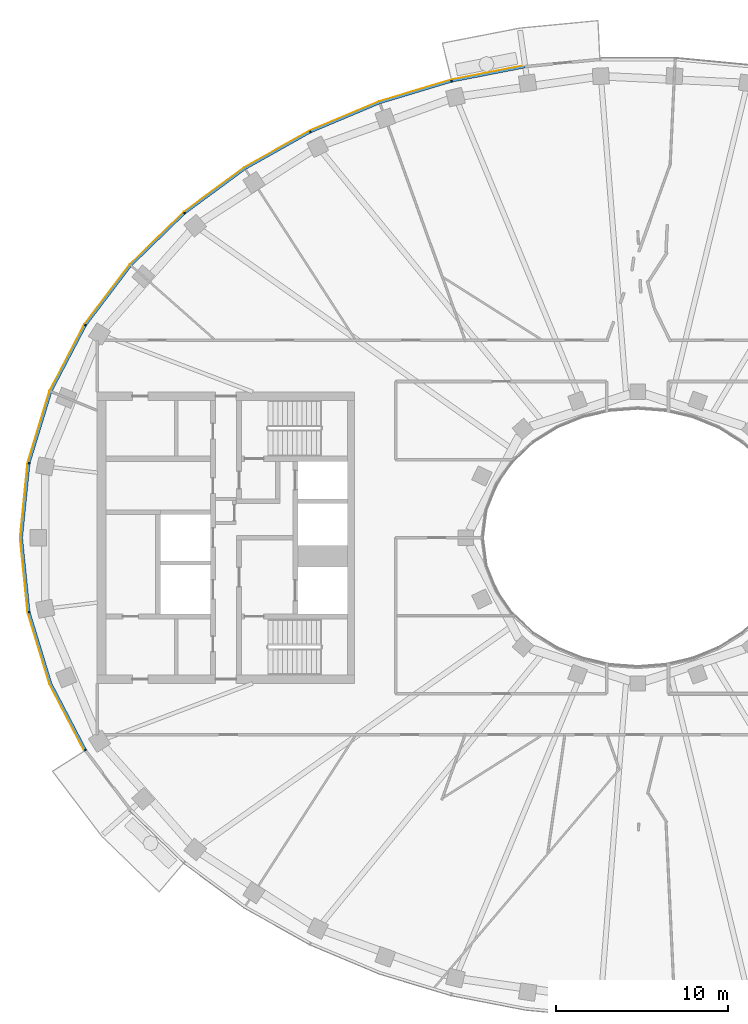
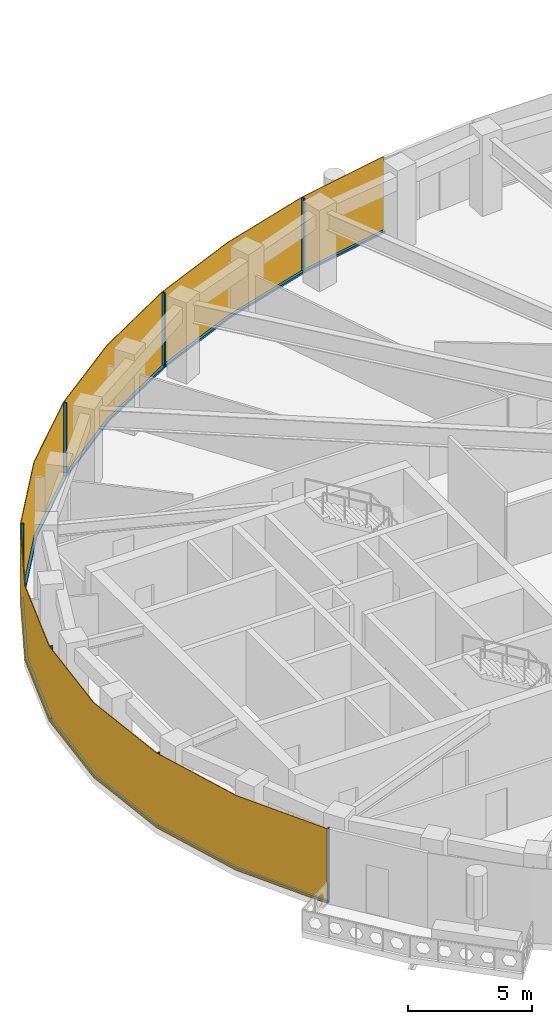
# One storey, part 11 of 16: 14 members, 1 curtain wall.
"""IFC4 building model written with IfcOpenShell, lengths in metres."""

from ifc_helpers import new_model, si_unit, direction, frame, origin, origin_2d, place, context, subcontext, project, spatial, polyline, rectangle, outline, extrude, material, layer, layer_set, material_profile, profile_set, type_object, element, aggregate, save


model = new_model("IFC4")

# Units and contexts
model_context = context("Model", 3, precision=1e-05, world=origin(), true_north=direction((0.0, 1.0)))
body_context = subcontext(model_context, "Body", "Model", "MODEL_VIEW")
ifc_project = project(units=[si_unit("LENGTHUNIT", "METRE"), si_unit("AREAUNIT", "SQUARE_METRE"), si_unit("VOLUMEUNIT", "CUBIC_METRE"), si_unit("PLANEANGLEUNIT", "RADIAN"), si_unit("MASSUNIT", "GRAM", prefix="KILO")], contexts=[model_context])

# Member
ifc_material_1 = material(Name="Aluminium 6063-T6 black anodised", Category="aluminium")
ifc_material_profile = material_profile(ifc_material_1, rectangle(XDim=0.1201171875, YDim=0.06005859375, at=origin_2d()), Name="120x60")
ifc_profile_set = profile_set([ifc_material_profile], Name="Aluminium 6063-T6 black anodised")
member_type_1 = type_object("IfcMemberType", Name="ENV-MULLION-A-120", PredefinedType="MULLION", material=ifc_profile_set)
site_placement = place(None, origin())
building_placement = place(site_placement, origin())
storey_placement = place(building_placement, frame((0.0, 0.0, 311.0)))
member_1_placement = place(storey_placement, frame((-10.84326171875, 26.60498046875, 0.0), z_axis=(0.0, 0.0, 1.0), x_axis=(0.239799081534, -0.970822538106, 0.0)))
member_1 = element("IfcMember", 1, at=member_1_placement, type_object=member_type_1, Name="Mullion A radial 15", PredefinedType="MULLION", context=body_context, shape_type="SweptSolid", body=[
    extrude(rectangle(XDim=0.1201171875, YDim=0.06005859375, at=origin_2d()), origin(), (0.0, 0.0, 1.0), 3.699951171875),
])

member_2_placement = place(storey_placement, frame((-19.06787109375, 23.6474609375, 0.0), z_axis=(0.0, 0.0, 1.0), x_axis=(0.439237769837, -0.898370848563, 0.0)))
member_2 = element("IfcMember", 2, at=member_2_placement, type_object=member_type_1, Name="Mullion A radial 17", PredefinedType="MULLION", context=body_context, shape_type="SweptSolid", body=[
    extrude(rectangle(XDim=0.1201171875, YDim=0.06005859375, at=origin_2d()), origin(), (0.0, 0.0, 1.0), 3.699951171875),
])

member_3_placement = place(storey_placement, frame((-26.403564453125, 18.9130859375, 0.0), z_axis=(0.0, 0.0, 1.0), x_axis=(0.646451313783, -0.762955240435, 0.0)))
member_3 = element("IfcMember", 3, at=member_3_placement, type_object=member_type_1, Name="Mullion A radial 19", PredefinedType="MULLION", context=body_context, shape_type="SweptSolid", body=[
    extrude(rectangle(XDim=0.1201171875, YDim=0.06005859375, at=origin_2d()), origin(), (0.0, 0.0, 1.0), 3.699951171875),
])

member_4_placement = place(storey_placement, frame((-32.177490234375, 12.385498046875, 0.0), z_axis=(0.0, 0.0, 1.0), x_axis=(0.844829880882, -0.53503501976, 0.0)))
member_4 = element("IfcMember", 4, at=member_4_placement, type_object=member_type_1, Name="Mullion A radial 21", PredefinedType="MULLION", context=body_context, shape_type="SweptSolid", body=[
    extrude(rectangle(XDim=0.1201171875, YDim=0.06005859375, at=origin_2d()), origin(), (0.0, 0.0, 1.0), 3.699951171875),
])

member_5_placement = place(storey_placement, frame((-35.470947265625, 4.340576171875, 0.0), z_axis=(0.0, 0.0, 1.0), x_axis=(0.980379083141, -0.19712141776, 0.0)))
member_5 = element("IfcMember", 5, at=member_5_placement, type_object=member_type_1, Name="Mullion A radial 23", PredefinedType="MULLION", context=body_context, shape_type="SweptSolid", body=[
    extrude(rectangle(XDim=0.1201171875, YDim=0.06005859375, at=origin_2d()), origin(), (0.0, 0.0, 1.0), 3.699951171875),
])

member_6_placement = place(storey_placement, frame((-35.470947265625, -4.340576171875, 0.0), z_axis=(0.0, 0.0, 1.0), x_axis=(0.980379083141, 0.19712141776, 0.0)))
member_6 = element("IfcMember", 6, at=member_6_placement, type_object=member_type_1, Name="Mullion A radial 25", PredefinedType="MULLION", context=body_context, shape_type="SweptSolid", body=[
    extrude(rectangle(XDim=0.1201171875, YDim=0.06005859375, at=origin_2d()), origin(), (0.0, 0.0, 1.0), 3.699951171875),
])

member_7_placement = place(storey_placement, frame((-32.177490234375, -12.385498046875, 0.0), z_axis=(0.0, 0.0, 1.0), x_axis=(0.844829880882, 0.53503501976, 0.0)))
member_7 = element("IfcMember", 7, at=member_7_placement, type_object=member_type_1, Name="Mullion A radial 27", PredefinedType="MULLION", context=body_context, shape_type="SweptSolid", body=[
    extrude(rectangle(XDim=0.1201171875, YDim=0.06005859375, at=origin_2d()), origin(), (0.0, 0.0, 1.0), 3.699951171875),
])

ifc_material_2 = material(Name="Aluminium 6063-T6 black anodised", Category="aluminium")
member_type_2 = type_object("IfcMemberType", Name="ENV-TRANSOM-A", PredefinedType="USERDEFINED", material=ifc_material_2)
member_8_placement = place(storey_placement, origin())
member_8 = element("IfcMember", 8, at=member_8_placement, type_object=member_type_2, Name="Transom A radial 14-15", ObjectType="TRANSOM", PredefinedType="USERDEFINED", context=body_context, shape_type="SweptSolid", body=[
    extrude(outline(polyline([(-6.57470703125, 27.49560546875), (-10.830078125, 26.66845703125), (-10.80126953125, 26.552001953125), (-6.5576171875, 27.376708984375), (-6.57470703125, 27.49560546875)])), origin(), (0.0, 0.0, 1.0), 0.10009765625),
])

member_9_placement = place(storey_placement, origin())
member_9 = element("IfcMember", 9, at=member_9_placement, type_object=member_type_2, Name="Transom A radial 15-17", ObjectType="TRANSOM", PredefinedType="USERDEFINED", context=body_context, shape_type="SweptSolid", body=[
    extrude(outline(polyline([(-10.884521484375, 26.655029296875), (-15.054443359375, 25.400146484375), (-19.068359375, 23.71240234375), (-19.015380859375, 23.604248046875), (-15.013916015625, 25.287109375), (-10.855712890625, 26.53857421875), (-10.884521484375, 26.655029296875)])), origin(), (0.0, 0.0, 1.0), 0.10009765625),
])

member_10_placement = place(storey_placement, origin())
member_10 = element("IfcMember", 10, at=member_10_placement, type_object=member_type_2, Name="Transom A radial 17-19", ObjectType="TRANSOM", PredefinedType="USERDEFINED", context=body_context, shape_type="SweptSolid", body=[
    extrude(outline(polyline([(-19.11865234375, 23.687744140625), (-22.9150390625, 21.556884765625), (-26.419921875, 18.975341796875), (-26.342041015625, 18.883544921875), (-22.85009765625, 21.455810546875), (-19.06591796875, 23.57958984375), (-19.11865234375, 23.687744140625)])), origin(), (0.0, 0.0, 1.0), 0.10009765625),
])

member_11_placement = place(storey_placement, origin())
member_11 = element("IfcMember", 11, at=member_11_placement, type_object=member_type_2, Name="Transom A radial 19-21", ObjectType="TRANSOM", PredefinedType="USERDEFINED", context=body_context, shape_type="SweptSolid", body=[
    extrude(outline(polyline([(-26.46240234375, 18.939208984375), (-29.58349609375, 15.906982421875), (-32.211181640625, 12.43994140625), (-32.109375, 12.37548828125), (-29.493408203125, 15.8271484375), (-26.384765625, 18.847412109375), (-26.46240234375, 18.939208984375)])), origin(), (0.0, 0.0, 1.0), 0.10009765625),
])

member_12_placement = place(storey_placement, origin())
member_12 = element("IfcMember", 12, at=member_12_placement, type_object=member_type_2, Name="Transom A radial 21-23", ObjectType="TRANSOM", PredefinedType="USERDEFINED", context=body_context, shape_type="SweptSolid", body=[
    extrude(outline(polyline([(-32.240966796875, 12.392578125), (-34.251220703125, 8.53662109375), (-35.521484375, 4.379150390625), (-35.4033203125, 4.355224609375), (-34.139892578125, 8.490966796875), (-32.139404296875, 12.328369140625), (-32.240966796875, 12.392578125)])), origin(), (0.0, 0.0, 1.0), 0.10009765625),
])

member_13_placement = place(storey_placement, origin())
member_13 = element("IfcMember", 13, at=member_13_placement, type_object=member_type_2, Name="Transom A radial 23-25", ObjectType="TRANSOM", PredefinedType="USERDEFINED", context=body_context, shape_type="SweptSolid", body=[
    extrude(outline(polyline([(-35.532470703125, 4.324462890625), (-35.9677734375, 0.0), (-35.532470703125, -4.324462890625), (-35.414306640625, -4.30078125), (-35.84716796875, 0.0), (-35.414306640625, 4.30078125), (-35.532470703125, 4.324462890625)])), origin(), (0.0, 0.0, 1.0), 0.10009765625),
])

member_14_placement = place(storey_placement, origin())
member_14 = element("IfcMember", 14, at=member_14_placement, type_object=member_type_2, Name="Transom A radial 25-27", ObjectType="TRANSOM", PredefinedType="USERDEFINED", context=body_context, shape_type="SweptSolid", body=[
    extrude(outline(polyline([(-35.521484375, -4.379150390625), (-34.251220703125, -8.53662109375), (-32.240966796875, -12.392578125), (-32.139404296875, -12.328369140625), (-34.139892578125, -8.490966796875), (-35.4033203125, -4.355224609375), (-35.521484375, -4.379150390625)])), origin(), (0.0, 0.0, 1.0), 0.10009765625),
])

# Site, building, storey
site = spatial("IfcSite", under=ifc_project, at=site_placement, CompositionType="ELEMENT")
building = spatial("IfcBuilding", under=site, at=building_placement, Name="Noorbagh Ring Tower", CompositionType="ELEMENT")
storey = spatial("IfcBuildingStorey", under=building, at=storey_placement, Name="L67", CompositionType="ELEMENT", Elevation=311.0)

# Curtain wall
ifc_material_3 = material(Name="Glass dark tinted laminated", Category="glass")
ifc_layer = layer(ifc_material_3, 0.031982421875)
ifc_layer_set = layer_set([ifc_layer], Name="Glass dark tinted laminated")
curtain_wall_type = type_object("IfcCurtainWallType", Name="ENV-CW-A", PredefinedType="NOTDEFINED", material=ifc_layer_set)
curtain_wall_placement = place(storey_placement, origin())
curtain_wall = element("IfcCurtainWall", 15, at=curtain_wall_placement, inside=storey, type_object=curtain_wall_type, Name="Curtain wall A R14", PredefinedType="NOTDEFINED", context=body_context, shape_type="SweptSolid", body=[
    extrude(outline(polyline([(-6.579345703125, 27.52734375), (-10.865234375, 26.6943359375), (-15.065185546875, 25.430419921875), (-19.108154296875, 23.730224609375), (-22.9326171875, 21.583740234375), (-26.463134765625, 18.9833984375), (-29.607666015625, 15.927978515625), (-32.255126953125, 12.434814453125), (-34.281005859375, 8.548828125), (-35.561279296875, 4.358642578125), (-36.0, 0.0), (-35.561279296875, -4.358642578125), (-34.281005859375, -8.548828125), (-32.264404296875, -12.4169921875), (-32.2373046875, -12.39990234375), (-34.251220703125, -8.53662109375), (-35.529541015625, -4.352294921875), (-35.9677734375, 0.0), (-35.529541015625, 4.352294921875), (-34.251220703125, 8.53662109375), (-32.22802734375, 12.41748046875), (-29.58349609375, 15.906982421875), (-26.4423828125, 18.958740234375), (-22.9150390625, 21.556884765625), (-19.093994140625, 23.701416015625), (-15.054443359375, 25.400146484375), (-10.857666015625, 26.6630859375), (-6.57470703125, 27.49560546875), (-6.579345703125, 27.52734375)])), origin(), (0.0, 0.0, 1.0), 3.699951171875),
])

aggregate(curtain_wall, [member_1, member_2, member_3, member_4, member_5, member_6, member_7, member_8, member_9, member_10, member_11, member_12, member_13, member_14])

save(model, "model.ifc")
